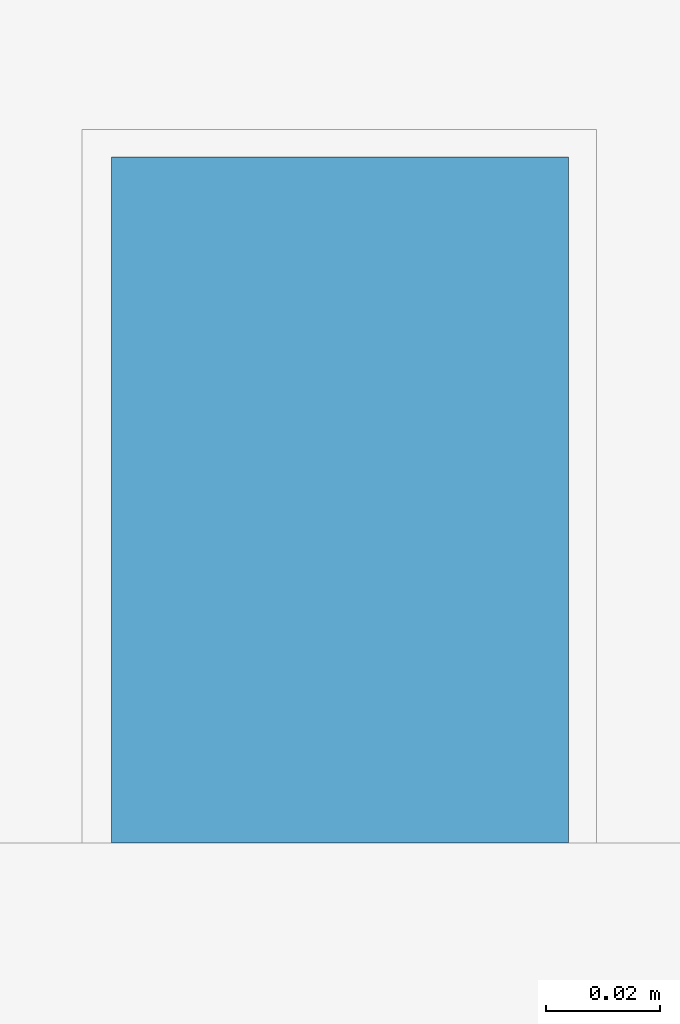
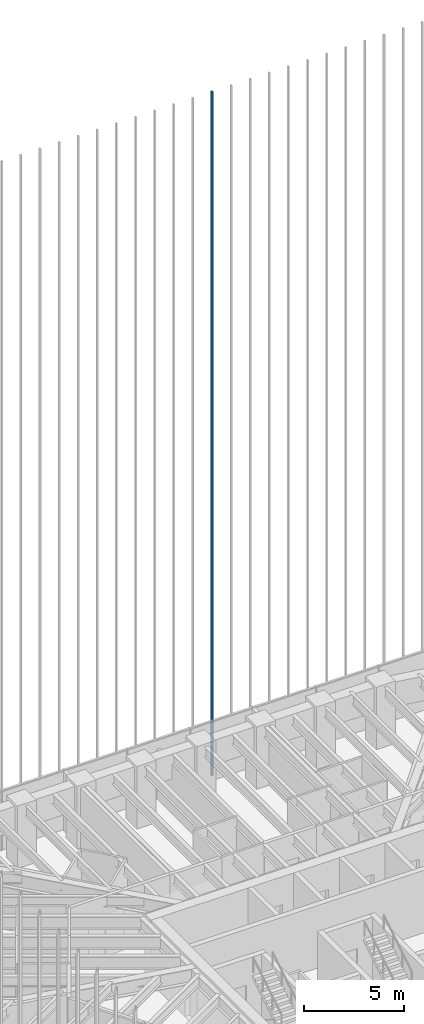
# One storey, part 91 of 127: 1 member, 1 element without a shape of its own.
"""IFC4 building model written with IfcOpenShell, lengths in metres."""

from ifc_helpers import new_model, si_unit, direction, frame, origin, origin_2d, place, context, subcontext, project, spatial, rectangle, extrude, material, material_profile, profile_set, type_object, element, aggregate, save


model = new_model("IFC4")

# Units and contexts
model_context = context("Model", 3, precision=1e-05, world=origin(), true_north=direction((0.0, 1.0)))
body_context = subcontext(model_context, "Body", "Model", "MODEL_VIEW")
ifc_project = project(units=[si_unit("LENGTHUNIT", "METRE"), si_unit("AREAUNIT", "SQUARE_METRE"), si_unit("VOLUMEUNIT", "CUBIC_METRE"), si_unit("PLANEANGLEUNIT", "RADIAN"), si_unit("MASSUNIT", "GRAM", prefix="KILO")], contexts=[model_context])

# Site, building, storey
site_placement = place(None, origin())
site = spatial("IfcSite", under=ifc_project, at=site_placement, CompositionType="ELEMENT")
building_placement = place(site_placement, origin())
building = spatial("IfcBuilding", under=site, at=building_placement, Name="Sandreach Pilgrim Tower", CompositionType="ELEMENT")
storey_placement = place(building_placement, frame((0.0, 0.0, 257.0)))
storey = spatial("IfcBuildingStorey", under=building, at=storey_placement, Name="L64", CompositionType="ELEMENT", Elevation=257.0)

# Curtain wall, member
ifc_material_1 = material(Name="Aluminium framed curtain wall", Category="aluminium")
curtain_wall_type = type_object("IfcCurtainWallType", Name="Suite tower curtain wall", PredefinedType="NOTDEFINED", material=ifc_material_1)
curtain_wall_placement = place(storey_placement, origin())
curtain_wall = element("IfcCurtainWall", 1, at=curtain_wall_placement, inside=storey, type_object=curtain_wall_type, Name="CW-4 L64 N", PredefinedType="NOTDEFINED")
ifc_material_2 = material(Name="Extruded terracotta on aluminium core", Category="masonry")
ifc_material_profile = material_profile(ifc_material_2, rectangle(XDim=0.080078125, YDim=0.1201171875, at=origin_2d()), Name="TBN 80X120")
ifc_profile_set = profile_set([ifc_material_profile], Name="Extruded terracotta on aluminium core")
member_type = type_object("IfcMemberType", Name="Terracotta baguette north", PredefinedType="USERDEFINED", material=ifc_profile_set)
member_placement = place(storey_placement, frame((3.30126953125, 20.1865234375, 0.0), z_axis=(0.0, 0.0, 1.0), x_axis=(1.0, 0.0, 0.0)))
member = element("IfcMember", 2, at=member_placement, type_object=member_type, Name="Baguette Z4 N18", ObjectType="BAGUETTE", PredefinedType="USERDEFINED", context=body_context, shape_type="SweptSolid", body=[
    extrude(rectangle(XDim=0.080078125, YDim=0.1201171875, at=origin_2d()), origin(), (0.0, 0.0, 1.0), 41.639892578125),
])
aggregate(curtain_wall, [member])

save(model, "model.ifc")
